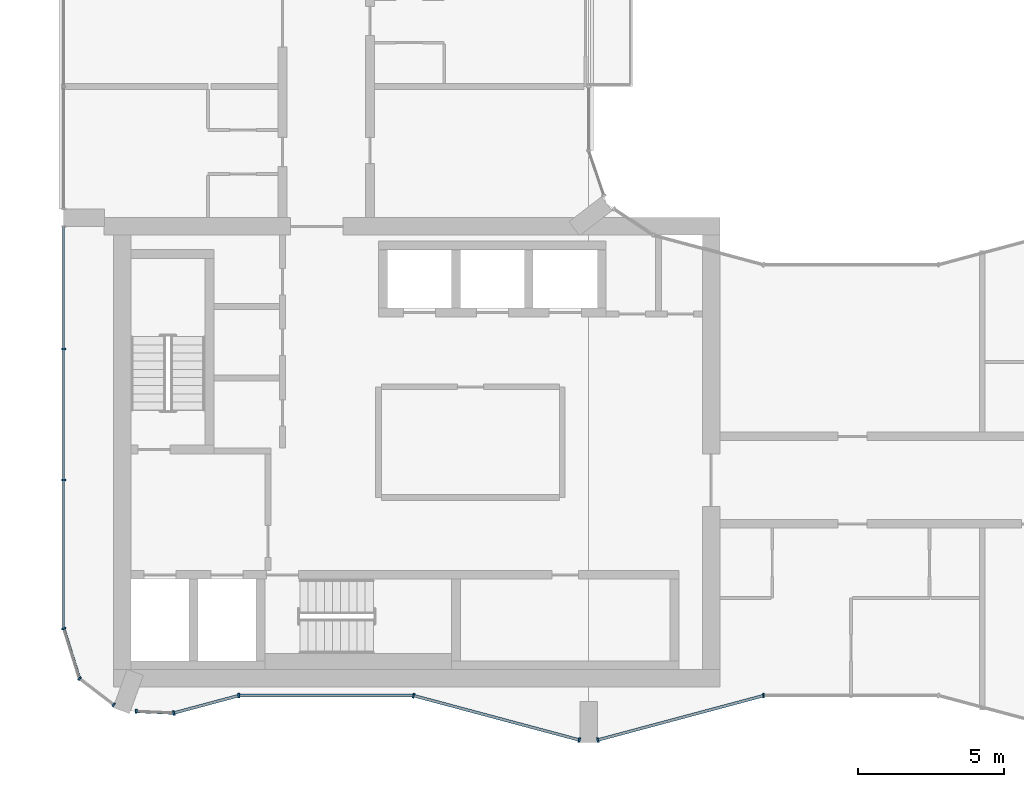
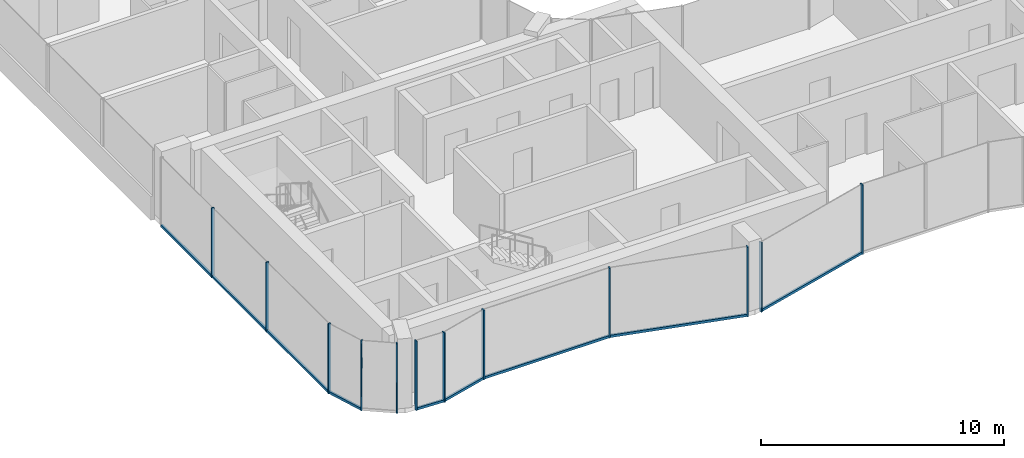
# One storey, part 2 of 15: 19 members, 9 elements without a shape of their own.
"""IFC4 building model written with IfcOpenShell, lengths in metres."""

from ifc_helpers import new_model, si_unit, direction, frame, origin, origin_2d, place, context, subcontext, project, spatial, rectangle, extrude, material, layer, layer_set, material_profile, profile_set, type_object, element, aggregate, save


model = new_model("IFC4")

# Units and contexts
model_context = context("Model", 3, precision=1e-05, world=origin(), true_north=direction((0.0, 1.0)))
body_context = subcontext(model_context, "Body", "Model", "MODEL_VIEW")
ifc_project = project(units=[si_unit("LENGTHUNIT", "METRE"), si_unit("AREAUNIT", "SQUARE_METRE"), si_unit("VOLUMEUNIT", "CUBIC_METRE"), si_unit("PLANEANGLEUNIT", "RADIAN"), si_unit("MASSUNIT", "GRAM", prefix="KILO")], contexts=[model_context])

# Site, building, storey
site_placement = place(None, origin())
site = spatial("IfcSite", under=ifc_project, at=site_placement, CompositionType="ELEMENT")
building_placement = place(site_placement, origin())
building = spatial("IfcBuilding", under=site, at=building_placement, Name="Plateau Cross Towers", CompositionType="ELEMENT")
storey_placement = place(building_placement, frame((0.0, 0.0, 153.39990234375)))
storey = spatial("IfcBuildingStorey", under=building, at=storey_placement, Name="L39", CompositionType="ELEMENT", Elevation=153.39990234375)

# Curtain wall, members
ifc_material_1 = material(Name="Dark low-iron glass", Category="glass")
ifc_layer_1 = layer(ifc_material_1, 0.239990234375)
ifc_layer_set_1 = layer_set([ifc_layer_1], Name="Dark low-iron glass")
curtain_wall_type_1 = type_object("IfcCurtainWallType", Name="Curtain wall flush unitised CW-B", PredefinedType="NOTDEFINED", material=ifc_layer_set_1)
curtain_wall_1_placement = place(storey_placement, origin())
curtain_wall_1 = element("IfcCurtainWall", 1, at=curtain_wall_1_placement, inside=storey, type_object=curtain_wall_type_1, Name="ENV/A/L39/A0_177", PredefinedType="NOTDEFINED")
ifc_material_2 = material(Name="Black anodised aluminium", Category="aluminium")
ifc_material_profile_1 = material_profile(ifc_material_2, rectangle(XDim=0.06005859375, YDim=0.139892578125, at=origin_2d()), Name="MULLION 60x140")
ifc_profile_set_1 = profile_set([ifc_material_profile_1], Name="Black anodised aluminium")
member_type_1 = type_object("IfcMemberType", Name="Mullion 60x140 flush unitised", PredefinedType="MULLION", material=ifc_profile_set_1)
member_1_placement = place(storey_placement, frame((0.0, 13.5, -0.25), z_axis=(0.0, 0.0, 1.0), x_axis=(0.0, -1.0, 0.0)))
member_1 = element("IfcMember", 2, at=member_1_placement, type_object=member_type_1, Name="CW-B mullion 2", PredefinedType="MULLION", context=body_context, shape_type="SweptSolid", body=[
    extrude(rectangle(XDim=0.06005859375, YDim=0.139892578125, at=origin_2d()), origin(), (0.0, 0.0, 1.0), 3.5),
])
member_2_placement = place(storey_placement, frame((0.0, 9.0, -0.25), z_axis=(0.0, 0.0, 1.0), x_axis=(0.0, -1.0, 0.0)))
member_2 = element("IfcMember", 3, at=member_2_placement, type_object=member_type_1, Name="CW-B mullion 3", PredefinedType="MULLION", context=body_context, shape_type="SweptSolid", body=[
    extrude(rectangle(XDim=0.06005859375, YDim=0.139892578125, at=origin_2d()), origin(), (0.0, 0.0, 1.0), 3.5),
])

# Curtain wall, member
curtain_wall_2_placement = place(storey_placement, origin())
curtain_wall_2 = element("IfcCurtainWall", 4, at=curtain_wall_2_placement, inside=storey, type_object=curtain_wall_type_1, Name="ENV/A/L39/A0_39", PredefinedType="NOTDEFINED")
member_3_placement = place(storey_placement, frame((0.0, 3.9091796875, -0.25), z_axis=(0.0, 0.0, 1.0), x_axis=(0.300686174994, -0.95372313811, 0.0)))
member_3 = element("IfcMember", 5, at=member_3_placement, type_object=member_type_1, Name="CW-B mullion 1", PredefinedType="MULLION", context=body_context, shape_type="SweptSolid", body=[
    extrude(rectangle(XDim=0.06005859375, YDim=0.139892578125, at=origin_2d()), origin(), (0.0, 0.0, 1.0), 3.5),
])

# Curtain wall, members
curtain_wall_3_placement = place(storey_placement, origin())
curtain_wall_3 = element("IfcCurtainWall", 6, at=curtain_wall_3_placement, inside=storey, type_object=curtain_wall_type_1, Name="ENV/A/L39/A5_22", PredefinedType="NOTDEFINED")
member_4_placement = place(storey_placement, frame((0.54248046875, 2.1884765625, -0.25), z_axis=(0.0, 0.0, 1.0), x_axis=(0.793315514529, -0.608810721331, 0.0)))
member_4 = element("IfcMember", 7, at=member_4_placement, type_object=member_type_1, Name="CW-B mullion 1", PredefinedType="MULLION", context=body_context, shape_type="SweptSolid", body=[
    extrude(rectangle(XDim=0.06005859375, YDim=0.139892578125, at=origin_2d()), origin(), (0.0, 0.0, 1.0), 3.5),
])
member_5_placement = place(storey_placement, frame((1.709716796875, 1.292724609375, -0.25), z_axis=(0.0, 0.0, 1.0), x_axis=(0.793315514529, -0.608810721331, 0.0)))
member_5 = element("IfcMember", 8, at=member_5_placement, type_object=member_type_1, Name="CW-B mullion 2", PredefinedType="MULLION", context=body_context, shape_type="SweptSolid", body=[
    extrude(rectangle(XDim=0.06005859375, YDim=0.139892578125, at=origin_2d()), origin(), (0.0, 0.0, 1.0), 3.5),
])
aggregate(curtain_wall_3, [member_4, member_5])

# Curtain wall, member
curtain_wall_4_placement = place(storey_placement, origin())
curtain_wall_4 = element("IfcCurtainWall", 9, at=curtain_wall_4_placement, inside=storey, type_object=curtain_wall_type_1, Name="ENV/A/L39/A25_11", PredefinedType="NOTDEFINED")
member_6_placement = place(storey_placement, frame((2.483642578125, 1.06787109375, -0.25), z_axis=(0.0, 0.0, 1.0), x_axis=(0.999043701491, -0.043722791671, 0.0)))
member_6 = element("IfcMember", 10, at=member_6_placement, type_object=member_type_1, Name="CW-B mullion 1", PredefinedType="MULLION", context=body_context, shape_type="SweptSolid", body=[
    extrude(rectangle(XDim=0.06005859375, YDim=0.139892578125, at=origin_2d()), origin(), (0.0, 0.0, 1.0), 3.5),
])

ifc_layer_2 = layer(ifc_material_1, 0.260009765625)
ifc_layer_set_2 = layer_set([ifc_layer_2], Name="Dark low-iron glass")
curtain_wall_type_2 = type_object("IfcCurtainWallType", Name="Curtain wall fluted unitised CW-A", PredefinedType="NOTDEFINED", material=ifc_layer_set_2)
curtain_wall_5_placement = place(storey_placement, origin())
curtain_wall_5 = element("IfcCurtainWall", 11, at=curtain_wall_5_placement, inside=storey, type_object=curtain_wall_type_2, Name="ENV/A/L39/A38_10", PredefinedType="NOTDEFINED")
ifc_material_profile_2 = material_profile(ifc_material_2, rectangle(XDim=0.06005859375, YDim=0.159912109375, at=origin_2d()), Name="MULLION 60x160")
ifc_profile_set_2 = profile_set([ifc_material_profile_2], Name="Black anodised aluminium")
member_type_2 = type_object("IfcMemberType", Name="Mullion 60x160 fluted unitised", PredefinedType="MULLION", material=ifc_profile_set_2)
member_7_placement = place(storey_placement, frame((3.776123046875, 1.01123046875, -0.25), z_axis=(0.0, 0.0, 1.0), x_axis=(0.965957962328, 0.258699081978, 0.0)))
member_7 = element("IfcMember", 12, at=member_7_placement, type_object=member_type_2, Name="CW-A mullion 1", PredefinedType="MULLION", context=body_context, shape_type="SweptSolid", body=[
    extrude(rectangle(XDim=0.06005859375, YDim=0.159912109375, at=origin_2d()), origin(), (0.0, 0.0, 1.0), 3.5),
])

curtain_wall_6_placement = place(storey_placement, origin())
curtain_wall_6 = element("IfcCurtainWall", 13, at=curtain_wall_6_placement, inside=storey, type_object=curtain_wall_type_2, Name="ENV/A/L39/A60_16", PredefinedType="NOTDEFINED")
member_8_placement = place(storey_placement, frame((6.0, 1.60693359375, -0.25), z_axis=(0.0, 0.0, 1.0), x_axis=(1.0, 0.0, 0.0)))
member_8 = element("IfcMember", 14, at=member_8_placement, type_object=member_type_2, Name="CW-A mullion 1", PredefinedType="MULLION", context=body_context, shape_type="SweptSolid", body=[
    extrude(rectangle(XDim=0.06005859375, YDim=0.159912109375, at=origin_2d()), origin(), (0.0, 0.0, 1.0), 3.5),
])

# Curtain wall, members
curtain_wall_7_placement = place(storey_placement, origin())
curtain_wall_7 = element("IfcCurtainWall", 15, at=curtain_wall_7_placement, inside=storey, type_object=curtain_wall_type_2, Name="ENV/A/L39/A120_16", PredefinedType="NOTDEFINED")
member_9_placement = place(storey_placement, frame((12.0, 1.60693359375, -0.25), z_axis=(0.0, 0.0, 1.0), x_axis=(0.965957983404, -0.258699003279, 0.0)))
member_9 = element("IfcMember", 16, at=member_9_placement, type_object=member_type_2, Name="CW-A mullion 1", PredefinedType="MULLION", context=body_context, shape_type="SweptSolid", body=[
    extrude(rectangle(XDim=0.06005859375, YDim=0.159912109375, at=origin_2d()), origin(), (0.0, 0.0, 1.0), 3.5),
])
member_10_placement = place(storey_placement, frame((17.68212890625, 0.085205078125, -0.25), z_axis=(0.0, 0.0, 1.0), x_axis=(0.965957983404, -0.258699003279, 0.0)))
member_10 = element("IfcMember", 17, at=member_10_placement, type_object=member_type_2, Name="CW-A mullion 2", PredefinedType="MULLION", context=body_context, shape_type="SweptSolid", body=[
    extrude(rectangle(XDim=0.06005859375, YDim=0.159912109375, at=origin_2d()), origin(), (0.0, 0.0, 1.0), 3.5),
])

# Curtain wall, member
curtain_wall_8_placement = place(storey_placement, origin())
curtain_wall_8 = element("IfcCurtainWall", 18, at=curtain_wall_8_placement, inside=storey, type_object=curtain_wall_type_2, Name="ENV/A/L39/A183_1", PredefinedType="NOTDEFINED")
member_11_placement = place(storey_placement, frame((18.31787109375, 0.085205078125, -0.25), z_axis=(0.0, 0.0, 1.0), x_axis=(0.965957983404, 0.258699003279, 0.0)))
member_11 = element("IfcMember", 19, at=member_11_placement, type_object=member_type_2, Name="CW-A mullion 1", PredefinedType="MULLION", context=body_context, shape_type="SweptSolid", body=[
    extrude(rectangle(XDim=0.06005859375, YDim=0.159912109375, at=origin_2d()), origin(), (0.0, 0.0, 1.0), 3.5),
])

curtain_wall_9_placement = place(storey_placement, origin())
curtain_wall_9 = element("IfcCurtainWall", 20, at=curtain_wall_9_placement, inside=storey, type_object=curtain_wall_type_2, Name="ENV/A/L39/A240_16", PredefinedType="NOTDEFINED")
member_12_placement = place(storey_placement, frame((24.0, 1.60693359375, -0.25), z_axis=(0.0, 0.0, 1.0), x_axis=(1.0, 0.0, 0.0)))
member_12 = element("IfcMember", 21, at=member_12_placement, type_object=member_type_2, Name="CW-A mullion 1", PredefinedType="MULLION", context=body_context, shape_type="SweptSolid", body=[
    extrude(rectangle(XDim=0.06005859375, YDim=0.159912109375, at=origin_2d()), origin(), (0.0, 0.0, 1.0), 3.5),
])
aggregate(curtain_wall_9, [member_12])

# Member
ifc_material_profile_3 = material_profile(ifc_material_2, rectangle(XDim=0.10009765625, YDim=0.1201171875, at=origin_2d()), Name="TRANSOM 100x120")
ifc_profile_set_3 = profile_set([ifc_material_profile_3], Name="Black anodised aluminium")
member_type_3 = type_object("IfcMemberType", Name="Transom 100x120 flush unitised", PredefinedType="USERDEFINED", material=ifc_profile_set_3)
member_13_placement = place(storey_placement, frame((0.0, 17.699951171875, -0.18994140625), z_axis=(0.0, -1.0, 0.0), x_axis=(1.0, 0.0, 0.0)))
member_13 = element("IfcMember", 22, at=member_13_placement, type_object=member_type_3, Name="CW-B transom", ObjectType="TRANSOM", PredefinedType="USERDEFINED", context=body_context, shape_type="SweptSolid", body=[
    extrude(rectangle(XDim=0.10009765625, YDim=0.1201171875, at=origin_2d()), origin(), (0.0, 0.0, 1.0), 13.790771484375),
])

aggregate(curtain_wall_1, [member_1, member_2, member_13])

member_14_placement = place(storey_placement, frame((0.0, 3.9091796875, -0.18994140625), z_axis=(0.30067799945, -0.953725715626, 0.0), x_axis=(0.953725715626, 0.30067799945, 0.0)))
member_14 = element("IfcMember", 23, at=member_14_placement, type_object=member_type_3, Name="CW-B transom", ObjectType="TRANSOM", PredefinedType="USERDEFINED", context=body_context, shape_type="SweptSolid", body=[
    extrude(rectangle(XDim=0.10009765625, YDim=0.1201171875, at=origin_2d()), origin(), (0.0, 0.0, 1.0), 1.80419921875),
])

aggregate(curtain_wall_2, [member_3, member_14])

member_15_placement = place(storey_placement, frame((2.483642578125, 1.06787109375, -0.18994140625), z_axis=(0.999041144614, -0.043781175963, 0.0), x_axis=(0.043781175963, 0.999041144614, 0.0)))
member_15 = element("IfcMember", 24, at=member_15_placement, type_object=member_type_3, Name="CW-B transom", ObjectType="TRANSOM", PredefinedType="USERDEFINED", context=body_context, shape_type="SweptSolid", body=[
    extrude(rectangle(XDim=0.10009765625, YDim=0.1201171875, at=origin_2d()), origin(), (0.0, 0.0, 1.0), 1.293701171875),
])

aggregate(curtain_wall_4, [member_6, member_15])

ifc_material_profile_4 = material_profile(ifc_material_2, rectangle(XDim=0.10009765625, YDim=0.1201171875, at=origin_2d()), Name="TRANSOM 100x120")
ifc_profile_set_4 = profile_set([ifc_material_profile_4], Name="Black anodised aluminium")
member_type_4 = type_object("IfcMemberType", Name="Transom 100x120 fluted unitised", PredefinedType="USERDEFINED", material=ifc_profile_set_4)
member_16_placement = place(storey_placement, frame((3.776123046875, 1.01123046875, -0.18994140625), z_axis=(0.965945685136, 0.258744919501, 0.0), x_axis=(-0.258744919501, 0.965945685136, 0.0)))
member_16 = element("IfcMember", 25, at=member_16_placement, type_object=member_type_4, Name="CW-A transom", ObjectType="TRANSOM", PredefinedType="USERDEFINED", context=body_context, shape_type="SweptSolid", body=[
    extrude(rectangle(XDim=0.10009765625, YDim=0.1201171875, at=origin_2d()), origin(), (0.0, 0.0, 1.0), 2.30224609375),
])

aggregate(curtain_wall_5, [member_7, member_16])

member_17_placement = place(storey_placement, frame((6.0, 1.60693359375, -0.18994140625), z_axis=(1.0, 0.0, 0.0), x_axis=(0.0, 1.0, 0.0)))
member_17 = element("IfcMember", 26, at=member_17_placement, type_object=member_type_4, Name="CW-A transom", ObjectType="TRANSOM", PredefinedType="USERDEFINED", context=body_context, shape_type="SweptSolid", body=[
    extrude(rectangle(XDim=0.10009765625, YDim=0.1201171875, at=origin_2d()), origin(), (0.0, 0.0, 1.0), 6.0),
])

aggregate(curtain_wall_6, [member_8, member_17])

member_18_placement = place(storey_placement, frame((12.0, 1.60693359375, -0.18994140625), z_axis=(0.965959534794, -0.258693210465, 0.0), x_axis=(0.258693210465, 0.965959534794, 0.0)))
member_18 = element("IfcMember", 27, at=member_18_placement, type_object=member_type_4, Name="CW-A transom", ObjectType="TRANSOM", PredefinedType="USERDEFINED", context=body_context, shape_type="SweptSolid", body=[
    extrude(rectangle(XDim=0.10009765625, YDim=0.1201171875, at=origin_2d()), origin(), (0.0, 0.0, 1.0), 5.88232421875),
])

aggregate(curtain_wall_7, [member_9, member_10, member_18])

member_19_placement = place(storey_placement, frame((18.31787109375, 0.085205078125, -0.18994140625), z_axis=(0.965959534794, 0.258693210465, 0.0), x_axis=(-0.258693210465, 0.965959534794, 0.0)))
member_19 = element("IfcMember", 28, at=member_19_placement, type_object=member_type_4, Name="CW-A transom", ObjectType="TRANSOM", PredefinedType="USERDEFINED", context=body_context, shape_type="SweptSolid", body=[
    extrude(rectangle(XDim=0.10009765625, YDim=0.1201171875, at=origin_2d()), origin(), (0.0, 0.0, 1.0), 5.88232421875),
])

aggregate(curtain_wall_8, [member_11, member_19])

save(model, "model.ifc")
